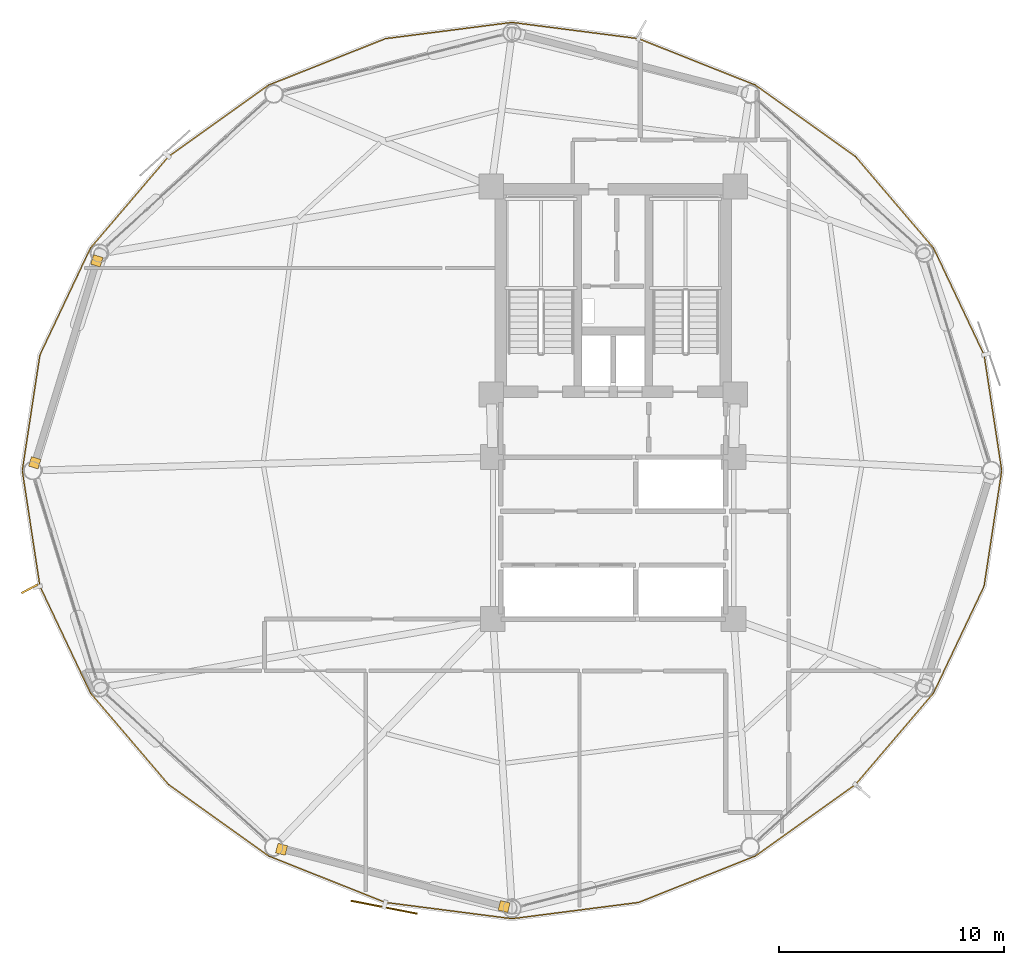
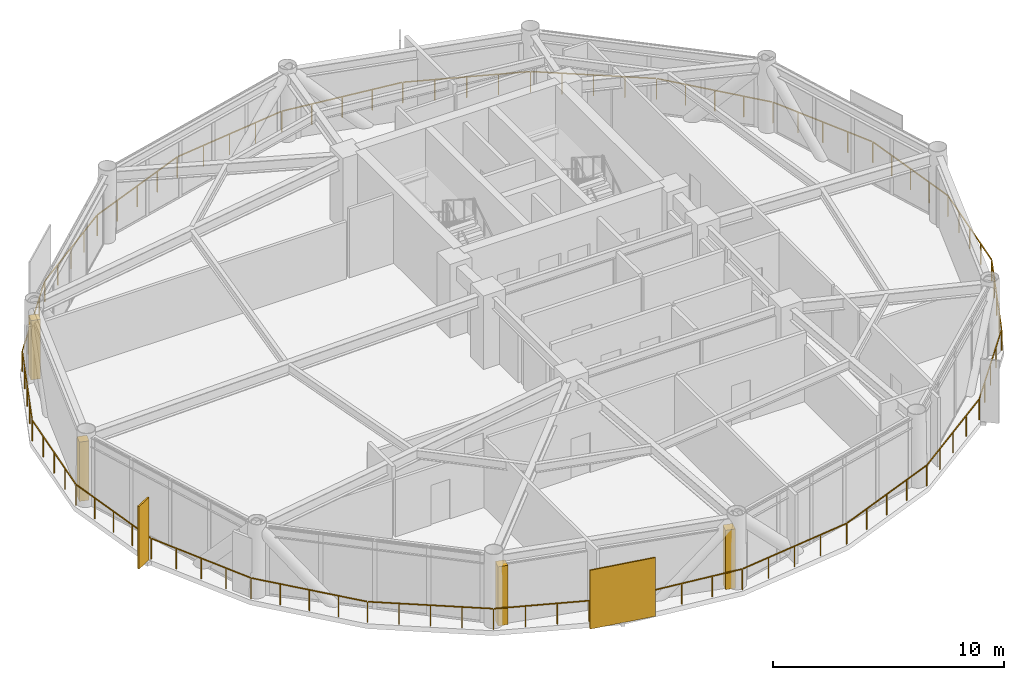
# One storey, part 22 of 24: 4 coverings, 2 shading devices, 1 railing.
"""IFC4 building model written with IfcOpenShell, lengths in metres."""

from ifc_helpers import new_model, si_unit, direction, frame, origin, origin_2d, place, context, subcontext, project, spatial, rectangle, extrude, source, transform, mapped, material, layer, layer_set, type_object, type_shapes, element, save


model = new_model("IFC4")

# Units and contexts
model_context = context("Model", 3, precision=1e-05, world=origin(), true_north=direction((0.0, 1.0)))
body_context = subcontext(model_context, "Body", "Model", "MODEL_VIEW")
ifc_project = project(units=[si_unit("LENGTHUNIT", "METRE"), si_unit("AREAUNIT", "SQUARE_METRE"), si_unit("VOLUMEUNIT", "CUBIC_METRE"), si_unit("PLANEANGLEUNIT", "RADIAN"), si_unit("MASSUNIT", "GRAM", prefix="KILO")], contexts=[model_context])

# Site, building, storey
site_placement = place(None, origin())
site = spatial("IfcSite", under=ifc_project, at=site_placement, CompositionType="ELEMENT")
building_placement = place(site_placement, origin())
building = spatial("IfcBuilding", under=site, at=building_placement, Name="Varnakorn Sky Granary", CompositionType="ELEMENT")
storey_placement = place(building_placement, frame((0.0, 0.0, 118.800048828125)))
storey = spatial("IfcBuildingStorey", under=building, at=storey_placement, Name="L29", CompositionType="ELEMENT", Elevation=118.800048828125)

# Railing
ifc_material = material(Name="Anodised Bronze Aluminium Alloy 6063-T6", Category="aluminium")
railing_type = type_object("IfcRailingType", Name="RL-BAL-1120", PredefinedType="BALUSTRADE", material=ifc_material)
railing_placement = place(storey_placement, frame((20.265869140625, 0.0, 0.0)))
element("IfcRailing", 1, at=railing_placement, inside=storey, type_object=railing_type, Name="Perimeter Slab-Edge Safety Guard L29", PredefinedType="BALUSTRADE", context=body_context, shape_type="SweptSolid", body=[
    extrude(rectangle(XDim=0.048095703125, YDim=0.048095703125, at=origin_2d()), frame((-0.004150390625, -0.027587890625, 1.09619140625), z_axis=(-0.150815099651, -0.988561988809, 0.0), x_axis=(0.988561988809, -0.150815099651, 0.0)), (0.0, 0.0, 1.0), 5.1435546875),
    extrude(rectangle(XDim=0.048095703125, YDim=0.048095703125, at=origin_2d()), frame((-0.796142578125, -5.16552734375, 1.09619140625), z_axis=(-0.427656636889, -0.903941259665, 0.0), x_axis=(0.903941259665, -0.427656636889, 0.0)), (0.0, 0.0, 1.0), 5.195556640625),
    extrude(rectangle(XDim=0.048095703125, YDim=0.048095703125, at=origin_2d()), frame((-3.048095703125, -9.908447265625, 1.09619140625), z_axis=(-0.648965268397, -0.760818033708, 0.0), x_axis=(0.760818033708, -0.648965268397, 0.0)), (0.0, 0.0, 1.0), 5.289306640625),
    extrude(rectangle(XDim=0.048095703125, YDim=0.048095703125, at=origin_2d()), frame((-6.521728515625, -13.970458984375, 1.09619140625), z_axis=(-0.813763642985, -0.581195950911, 0.0), x_axis=(0.581195950911, -0.813763642985, 0.0)), (0.0, 0.0, 1.0), 5.4111328125),
    extrude(rectangle(XDim=0.048095703125, YDim=0.048095703125, at=origin_2d()), frame((-10.97412109375, -17.141845703125, 1.09619140625), z_axis=(-0.929326630092, -0.369258736662, 0.0), x_axis=(0.369258736662, -0.929326630092, 0.0)), (0.0, 0.0, 1.0), 5.5341796875),
    extrude(rectangle(XDim=0.048095703125, YDim=0.048095703125, at=origin_2d()), frame((-16.1708984375, -19.199462890625, 1.09619140625), z_axis=(-0.991847365501, -0.127431564175, 0.0), x_axis=(0.127431564175, -0.991847365501, 0.0)), (0.0, 0.0, 1.0), 5.613037109375),
    extrude(rectangle(XDim=0.048095703125, YDim=0.048095703125, at=origin_2d()), frame((-21.793701171875, -19.91455078125, 1.09619140625), z_axis=(-0.991847365501, 0.127431564175, 0.0), x_axis=(-0.127431564175, -0.991847365501, 0.0)), (0.0, 0.0, 1.0), 5.613037109375),
    extrude(rectangle(XDim=0.048095703125, YDim=0.048095703125, at=origin_2d()), frame((-27.414794921875, -19.185546875, 1.09619140625), z_axis=(-0.929326630092, 0.369258736662, 0.0), x_axis=(-0.369258736662, -0.929326630092, 0.0)), (0.0, 0.0, 1.0), 5.5341796875),
    extrude(rectangle(XDim=0.048095703125, YDim=0.048095703125, at=origin_2d()), frame((-32.6064453125, -17.115234375, 1.09619140625), z_axis=(-0.813763642985, 0.581195950911, 0.0), x_axis=(-0.581195950911, -0.813763642985, 0.0)), (0.0, 0.0, 1.0), 5.4111328125),
    extrude(rectangle(XDim=0.048095703125, YDim=0.048095703125, at=origin_2d()), frame((-37.05078125, -13.932861328125, 1.09619140625), z_axis=(-0.648965268397, 0.760818033708, 0.0), x_axis=(-0.760818033708, -0.648965268397, 0.0)), (0.0, 0.0, 1.0), 5.289306640625),
    extrude(rectangle(XDim=0.048095703125, YDim=0.048095703125, at=origin_2d()), frame((-40.513671875, -9.86181640625, 1.09619140625), z_axis=(-0.427656636889, 0.903941259665, 0.0), x_axis=(-0.903941259665, -0.427656636889, 0.0)), (0.0, 0.0, 1.0), 5.195556640625),
    extrude(rectangle(XDim=0.048095703125, YDim=0.048095703125, at=origin_2d()), frame((-42.751708984375, -5.112548828125, 1.09619140625), z_axis=(-0.150815099651, 0.988561988809, 0.0), x_axis=(-0.988561988809, -0.150815099651, 0.0)), (0.0, 0.0, 1.0), 5.1435546875),
    extrude(rectangle(XDim=0.048095703125, YDim=0.048095703125, at=origin_2d()), frame((-43.527587890625, 0.027587890625, 1.09619140625), z_axis=(0.150815099651, 0.988561988809, 0.0), x_axis=(-0.988561988809, 0.150815099651, 0.0)), (0.0, 0.0, 1.0), 5.1435546875),
    extrude(rectangle(XDim=0.048095703125, YDim=0.048095703125, at=origin_2d()), frame((-42.735595703125, 5.16552734375, 1.09619140625), z_axis=(0.427656636889, 0.903941259665, 0.0), x_axis=(-0.903941259665, 0.427656636889, 0.0)), (0.0, 0.0, 1.0), 5.195556640625),
    extrude(rectangle(XDim=0.048095703125, YDim=0.048095703125, at=origin_2d()), frame((-40.483642578125, 9.908447265625, 1.09619140625), z_axis=(0.648965268397, 0.760818033708, 0.0), x_axis=(-0.760818033708, 0.648965268397, 0.0)), (0.0, 0.0, 1.0), 5.289306640625),
    extrude(rectangle(XDim=0.048095703125, YDim=0.048095703125, at=origin_2d()), frame((-37.010009765625, 13.970458984375, 1.09619140625), z_axis=(0.813763642985, 0.581195950911, 0.0), x_axis=(-0.581195950911, 0.813763642985, 0.0)), (0.0, 0.0, 1.0), 5.4111328125),
    extrude(rectangle(XDim=0.048095703125, YDim=0.048095703125, at=origin_2d()), frame((-32.5576171875, 17.141845703125, 1.09619140625), z_axis=(0.929326630092, 0.369258736662, 0.0), x_axis=(-0.369258736662, 0.929326630092, 0.0)), (0.0, 0.0, 1.0), 5.5341796875),
    extrude(rectangle(XDim=0.048095703125, YDim=0.048095703125, at=origin_2d()), frame((-27.36083984375, 19.199462890625, 1.09619140625), z_axis=(0.991847365501, 0.127431564175, 0.0), x_axis=(-0.127431564175, 0.991847365501, 0.0)), (0.0, 0.0, 1.0), 5.613037109375),
    extrude(rectangle(XDim=0.048095703125, YDim=0.048095703125, at=origin_2d()), frame((-21.738037109375, 19.91455078125, 1.09619140625), z_axis=(0.991847365501, -0.127431564175, 0.0), x_axis=(0.127431564175, 0.991847365501, 0.0)), (0.0, 0.0, 1.0), 5.613037109375),
    extrude(rectangle(XDim=0.048095703125, YDim=0.048095703125, at=origin_2d()), frame((-16.116943359375, 19.185546875, 1.09619140625), z_axis=(0.929326630092, -0.369258736662, 0.0), x_axis=(0.369258736662, 0.929326630092, 0.0)), (0.0, 0.0, 1.0), 5.5341796875),
    extrude(rectangle(XDim=0.048095703125, YDim=0.048095703125, at=origin_2d()), frame((-10.92529296875, 17.115234375, 1.09619140625), z_axis=(0.813763642985, -0.581195950911, 0.0), x_axis=(0.581195950911, 0.813763642985, 0.0)), (0.0, 0.0, 1.0), 5.4111328125),
    extrude(rectangle(XDim=0.048095703125, YDim=0.048095703125, at=origin_2d()), frame((-6.48095703125, 13.932861328125, 1.09619140625), z_axis=(0.648965268397, -0.760818033708, 0.0), x_axis=(0.760818033708, 0.648965268397, 0.0)), (0.0, 0.0, 1.0), 5.289306640625),
    extrude(rectangle(XDim=0.048095703125, YDim=0.048095703125, at=origin_2d()), frame((-3.01806640625, 9.86181640625, 1.09619140625), z_axis=(0.427656636889, -0.903941259665, 0.0), x_axis=(0.903941259665, 0.427656636889, 0.0)), (0.0, 0.0, 1.0), 5.195556640625),
    extrude(rectangle(XDim=0.048095703125, YDim=0.048095703125, at=origin_2d()), frame((-0.780029296875, 5.112548828125, 1.09619140625), z_axis=(0.150815099651, -0.988561988809, 0.0), x_axis=(0.988561988809, 0.150815099651, 0.0)), (0.0, 0.0, 1.0), 5.1435546875),
    extrude(rectangle(XDim=0.0419921875, YDim=0.0419921875, at=origin_2d()), origin(), (0.0, 0.0, 1.0), 1.068115234375),
    extrude(rectangle(XDim=0.0419921875, YDim=0.0419921875, at=origin_2d()), frame((-0.196044921875, -1.28515625, 0.0)), (0.0, 0.0, 1.0), 1.068115234375),
    extrude(rectangle(XDim=0.0419921875, YDim=0.0419921875, at=origin_2d()), frame((-0.39208984375, -2.570068359375, 0.0)), (0.0, 0.0, 1.0), 1.068115234375),
    extrude(rectangle(XDim=0.0419921875, YDim=0.0419921875, at=origin_2d()), frame((-0.588134765625, -3.85498046875, 0.0)), (0.0, 0.0, 1.0), 1.068115234375),
    extrude(rectangle(XDim=0.0419921875, YDim=0.0419921875, at=origin_2d()), frame((-0.7841796875, -5.14013671875, 0.0)), (0.0, 0.0, 1.0), 1.068115234375),
    extrude(rectangle(XDim=0.0419921875, YDim=0.0419921875, at=origin_2d()), frame((-1.345703125, -6.326904296875, 0.0)), (0.0, 0.0, 1.0), 1.068115234375),
    extrude(rectangle(XDim=0.0419921875, YDim=0.0419921875, at=origin_2d()), frame((-1.9072265625, -7.513671875, 0.0)), (0.0, 0.0, 1.0), 1.068115234375),
    extrude(rectangle(XDim=0.0419921875, YDim=0.0419921875, at=origin_2d()), frame((-2.468505859375, -8.700439453125, 0.0)), (0.0, 0.0, 1.0), 1.068115234375),
    extrude(rectangle(XDim=0.0419921875, YDim=0.0419921875, at=origin_2d()), frame((-3.030029296875, -9.88720703125, 0.0)), (0.0, 0.0, 1.0), 1.068115234375),
    extrude(rectangle(XDim=0.0419921875, YDim=0.0419921875, at=origin_2d()), frame((-3.897216796875, -10.90380859375, 0.0)), (0.0, 0.0, 1.0), 1.068115234375),
    extrude(rectangle(XDim=0.0419921875, YDim=0.0419921875, at=origin_2d()), frame((-4.7646484375, -11.920654296875, 0.0)), (0.0, 0.0, 1.0), 1.068115234375),
    extrude(rectangle(XDim=0.0419921875, YDim=0.0419921875, at=origin_2d()), frame((-5.6318359375, -12.9375, 0.0)), (0.0, 0.0, 1.0), 1.068115234375),
    extrude(rectangle(XDim=0.0419921875, YDim=0.0419921875, at=origin_2d()), frame((-6.4990234375, -13.9541015625, 0.0)), (0.0, 0.0, 1.0), 1.068115234375),
    extrude(rectangle(XDim=0.0419921875, YDim=0.0419921875, at=origin_2d()), frame((-7.611328125, -14.74853515625, 0.0)), (0.0, 0.0, 1.0), 1.068115234375),
    extrude(rectangle(XDim=0.0419921875, YDim=0.0419921875, at=origin_2d()), frame((-8.7236328125, -15.54296875, 0.0)), (0.0, 0.0, 1.0), 1.068115234375),
    extrude(rectangle(XDim=0.0419921875, YDim=0.0419921875, at=origin_2d()), frame((-9.835693359375, -16.337158203125, 0.0)), (0.0, 0.0, 1.0), 1.068115234375),
    extrude(rectangle(XDim=0.0419921875, YDim=0.0419921875, at=origin_2d()), frame((-10.947998046875, -17.131591796875, 0.0)), (0.0, 0.0, 1.0), 1.068115234375),
    extrude(rectangle(XDim=0.0419921875, YDim=0.0419921875, at=origin_2d()), frame((-12.246826171875, -17.647705078125, 0.0)), (0.0, 0.0, 1.0), 1.068115234375),
    extrude(rectangle(XDim=0.0419921875, YDim=0.0419921875, at=origin_2d()), frame((-13.54541015625, -18.16357421875, 0.0)), (0.0, 0.0, 1.0), 1.068115234375),
    extrude(rectangle(XDim=0.0419921875, YDim=0.0419921875, at=origin_2d()), frame((-14.84423828125, -18.6796875, 0.0)), (0.0, 0.0, 1.0), 1.068115234375),
    extrude(rectangle(XDim=0.0419921875, YDim=0.0419921875, at=origin_2d()), frame((-16.14306640625, -19.19580078125, 0.0)), (0.0, 0.0, 1.0), 1.068115234375),
    extrude(rectangle(XDim=0.0419921875, YDim=0.0419921875, at=origin_2d()), frame((-17.548828125, -19.37646484375, 0.0)), (0.0, 0.0, 1.0), 1.068115234375),
    extrude(rectangle(XDim=0.0419921875, YDim=0.0419921875, at=origin_2d()), frame((-18.95458984375, -19.55712890625, 0.0)), (0.0, 0.0, 1.0), 1.068115234375),
    extrude(rectangle(XDim=0.0419921875, YDim=0.0419921875, at=origin_2d()), frame((-20.360107421875, -19.737548828125, 0.0)), (0.0, 0.0, 1.0), 1.068115234375),
    extrude(rectangle(XDim=0.0419921875, YDim=0.0419921875, at=origin_2d()), frame((-21.765869140625, -19.918212890625, 0.0)), (0.0, 0.0, 1.0), 1.068115234375),
    extrude(rectangle(XDim=0.0419921875, YDim=0.0419921875, at=origin_2d()), frame((-23.171630859375, -19.737548828125, 0.0)), (0.0, 0.0, 1.0), 1.068115234375),
    extrude(rectangle(XDim=0.0419921875, YDim=0.0419921875, at=origin_2d()), frame((-24.5771484375, -19.55712890625, 0.0)), (0.0, 0.0, 1.0), 1.068115234375),
    extrude(rectangle(XDim=0.0419921875, YDim=0.0419921875, at=origin_2d()), frame((-25.98291015625, -19.37646484375, 0.0)), (0.0, 0.0, 1.0), 1.068115234375),
    extrude(rectangle(XDim=0.0419921875, YDim=0.0419921875, at=origin_2d()), frame((-27.388671875, -19.19580078125, 0.0)), (0.0, 0.0, 1.0), 1.068115234375),
    extrude(rectangle(XDim=0.0419921875, YDim=0.0419921875, at=origin_2d()), frame((-28.6875, -18.6796875, 0.0)), (0.0, 0.0, 1.0), 1.068115234375),
    extrude(rectangle(XDim=0.0419921875, YDim=0.0419921875, at=origin_2d()), frame((-29.986328125, -18.16357421875, 0.0)), (0.0, 0.0, 1.0), 1.068115234375),
    extrude(rectangle(XDim=0.0419921875, YDim=0.0419921875, at=origin_2d()), frame((-31.284912109375, -17.647705078125, 0.0)), (0.0, 0.0, 1.0), 1.068115234375),
    extrude(rectangle(XDim=0.0419921875, YDim=0.0419921875, at=origin_2d()), frame((-32.583740234375, -17.131591796875, 0.0)), (0.0, 0.0, 1.0), 1.068115234375),
    extrude(rectangle(XDim=0.0419921875, YDim=0.0419921875, at=origin_2d()), frame((-33.696044921875, -16.337158203125, 0.0)), (0.0, 0.0, 1.0), 1.068115234375),
    extrude(rectangle(XDim=0.0419921875, YDim=0.0419921875, at=origin_2d()), frame((-34.80810546875, -15.54296875, 0.0)), (0.0, 0.0, 1.0), 1.068115234375),
    extrude(rectangle(XDim=0.0419921875, YDim=0.0419921875, at=origin_2d()), frame((-35.92041015625, -14.74853515625, 0.0)), (0.0, 0.0, 1.0), 1.068115234375),
    extrude(rectangle(XDim=0.0419921875, YDim=0.0419921875, at=origin_2d()), frame((-37.03271484375, -13.9541015625, 0.0)), (0.0, 0.0, 1.0), 1.068115234375),
    extrude(rectangle(XDim=0.0419921875, YDim=0.0419921875, at=origin_2d()), frame((-37.89990234375, -12.9375, 0.0)), (0.0, 0.0, 1.0), 1.068115234375),
    extrude(rectangle(XDim=0.0419921875, YDim=0.0419921875, at=origin_2d()), frame((-38.76708984375, -11.920654296875, 0.0)), (0.0, 0.0, 1.0), 1.068115234375),
    extrude(rectangle(XDim=0.0419921875, YDim=0.0419921875, at=origin_2d()), frame((-39.634521484375, -10.90380859375, 0.0)), (0.0, 0.0, 1.0), 1.068115234375),
    extrude(rectangle(XDim=0.0419921875, YDim=0.0419921875, at=origin_2d()), frame((-40.501708984375, -9.88720703125, 0.0)), (0.0, 0.0, 1.0), 1.068115234375),
    extrude(rectangle(XDim=0.0419921875, YDim=0.0419921875, at=origin_2d()), frame((-41.063232421875, -8.700439453125, 0.0)), (0.0, 0.0, 1.0), 1.068115234375),
    extrude(rectangle(XDim=0.0419921875, YDim=0.0419921875, at=origin_2d()), frame((-41.62451171875, -7.513671875, 0.0)), (0.0, 0.0, 1.0), 1.068115234375),
    extrude(rectangle(XDim=0.0419921875, YDim=0.0419921875, at=origin_2d()), frame((-42.18603515625, -6.326904296875, 0.0)), (0.0, 0.0, 1.0), 1.068115234375),
    extrude(rectangle(XDim=0.0419921875, YDim=0.0419921875, at=origin_2d()), frame((-42.74755859375, -5.14013671875, 0.0)), (0.0, 0.0, 1.0), 1.068115234375),
    extrude(rectangle(XDim=0.0419921875, YDim=0.0419921875, at=origin_2d()), frame((-42.943603515625, -3.85498046875, 0.0)), (0.0, 0.0, 1.0), 1.068115234375),
    extrude(rectangle(XDim=0.0419921875, YDim=0.0419921875, at=origin_2d()), frame((-43.1396484375, -2.570068359375, 0.0)), (0.0, 0.0, 1.0), 1.068115234375),
    extrude(rectangle(XDim=0.0419921875, YDim=0.0419921875, at=origin_2d()), frame((-43.335693359375, -1.28515625, 0.0)), (0.0, 0.0, 1.0), 1.068115234375),
    extrude(rectangle(XDim=0.0419921875, YDim=0.0419921875, at=origin_2d()), frame((-43.53173828125, 0.0, 0.0)), (0.0, 0.0, 1.0), 1.068115234375),
    extrude(rectangle(XDim=0.0419921875, YDim=0.0419921875, at=origin_2d()), frame((-43.335693359375, 1.28515625, 0.0)), (0.0, 0.0, 1.0), 1.068115234375),
    extrude(rectangle(XDim=0.0419921875, YDim=0.0419921875, at=origin_2d()), frame((-43.1396484375, 2.570068359375, 0.0)), (0.0, 0.0, 1.0), 1.068115234375),
    extrude(rectangle(XDim=0.0419921875, YDim=0.0419921875, at=origin_2d()), frame((-42.943603515625, 3.85498046875, 0.0)), (0.0, 0.0, 1.0), 1.068115234375),
    extrude(rectangle(XDim=0.0419921875, YDim=0.0419921875, at=origin_2d()), frame((-42.74755859375, 5.14013671875, 0.0)), (0.0, 0.0, 1.0), 1.068115234375),
    extrude(rectangle(XDim=0.0419921875, YDim=0.0419921875, at=origin_2d()), frame((-42.18603515625, 6.326904296875, 0.0)), (0.0, 0.0, 1.0), 1.068115234375),
    extrude(rectangle(XDim=0.0419921875, YDim=0.0419921875, at=origin_2d()), frame((-41.62451171875, 7.513671875, 0.0)), (0.0, 0.0, 1.0), 1.068115234375),
    extrude(rectangle(XDim=0.0419921875, YDim=0.0419921875, at=origin_2d()), frame((-41.063232421875, 8.700439453125, 0.0)), (0.0, 0.0, 1.0), 1.068115234375),
    extrude(rectangle(XDim=0.0419921875, YDim=0.0419921875, at=origin_2d()), frame((-40.501708984375, 9.88720703125, 0.0)), (0.0, 0.0, 1.0), 1.068115234375),
    extrude(rectangle(XDim=0.0419921875, YDim=0.0419921875, at=origin_2d()), frame((-39.634521484375, 10.90380859375, 0.0)), (0.0, 0.0, 1.0), 1.068115234375),
    extrude(rectangle(XDim=0.0419921875, YDim=0.0419921875, at=origin_2d()), frame((-38.76708984375, 11.920654296875, 0.0)), (0.0, 0.0, 1.0), 1.068115234375),
    extrude(rectangle(XDim=0.0419921875, YDim=0.0419921875, at=origin_2d()), frame((-37.89990234375, 12.9375, 0.0)), (0.0, 0.0, 1.0), 1.068115234375),
    extrude(rectangle(XDim=0.0419921875, YDim=0.0419921875, at=origin_2d()), frame((-37.03271484375, 13.9541015625, 0.0)), (0.0, 0.0, 1.0), 1.068115234375),
    extrude(rectangle(XDim=0.0419921875, YDim=0.0419921875, at=origin_2d()), frame((-35.92041015625, 14.74853515625, 0.0)), (0.0, 0.0, 1.0), 1.068115234375),
    extrude(rectangle(XDim=0.0419921875, YDim=0.0419921875, at=origin_2d()), frame((-34.80810546875, 15.54296875, 0.0)), (0.0, 0.0, 1.0), 1.068115234375),
    extrude(rectangle(XDim=0.0419921875, YDim=0.0419921875, at=origin_2d()), frame((-33.696044921875, 16.337158203125, 0.0)), (0.0, 0.0, 1.0), 1.068115234375),
    extrude(rectangle(XDim=0.0419921875, YDim=0.0419921875, at=origin_2d()), frame((-32.583740234375, 17.131591796875, 0.0)), (0.0, 0.0, 1.0), 1.068115234375),
    extrude(rectangle(XDim=0.0419921875, YDim=0.0419921875, at=origin_2d()), frame((-31.284912109375, 17.647705078125, 0.0)), (0.0, 0.0, 1.0), 1.068115234375),
    extrude(rectangle(XDim=0.0419921875, YDim=0.0419921875, at=origin_2d()), frame((-29.986328125, 18.16357421875, 0.0)), (0.0, 0.0, 1.0), 1.068115234375),
    extrude(rectangle(XDim=0.0419921875, YDim=0.0419921875, at=origin_2d()), frame((-28.6875, 18.6796875, 0.0)), (0.0, 0.0, 1.0), 1.068115234375),
    extrude(rectangle(XDim=0.0419921875, YDim=0.0419921875, at=origin_2d()), frame((-27.388671875, 19.19580078125, 0.0)), (0.0, 0.0, 1.0), 1.068115234375),
    extrude(rectangle(XDim=0.0419921875, YDim=0.0419921875, at=origin_2d()), frame((-25.98291015625, 19.37646484375, 0.0)), (0.0, 0.0, 1.0), 1.068115234375),
    extrude(rectangle(XDim=0.0419921875, YDim=0.0419921875, at=origin_2d()), frame((-24.5771484375, 19.55712890625, 0.0)), (0.0, 0.0, 1.0), 1.068115234375),
    extrude(rectangle(XDim=0.0419921875, YDim=0.0419921875, at=origin_2d()), frame((-23.171630859375, 19.737548828125, 0.0)), (0.0, 0.0, 1.0), 1.068115234375),
    extrude(rectangle(XDim=0.0419921875, YDim=0.0419921875, at=origin_2d()), frame((-21.765869140625, 19.918212890625, 0.0)), (0.0, 0.0, 1.0), 1.068115234375),
    extrude(rectangle(XDim=0.0419921875, YDim=0.0419921875, at=origin_2d()), frame((-20.360107421875, 19.737548828125, 0.0)), (0.0, 0.0, 1.0), 1.068115234375),
    extrude(rectangle(XDim=0.0419921875, YDim=0.0419921875, at=origin_2d()), frame((-18.95458984375, 19.55712890625, 0.0)), (0.0, 0.0, 1.0), 1.068115234375),
    extrude(rectangle(XDim=0.0419921875, YDim=0.0419921875, at=origin_2d()), frame((-17.548828125, 19.37646484375, 0.0)), (0.0, 0.0, 1.0), 1.068115234375),
    extrude(rectangle(XDim=0.0419921875, YDim=0.0419921875, at=origin_2d()), frame((-16.14306640625, 19.19580078125, 0.0)), (0.0, 0.0, 1.0), 1.068115234375),
    extrude(rectangle(XDim=0.0419921875, YDim=0.0419921875, at=origin_2d()), frame((-14.84423828125, 18.6796875, 0.0)), (0.0, 0.0, 1.0), 1.068115234375),
    extrude(rectangle(XDim=0.0419921875, YDim=0.0419921875, at=origin_2d()), frame((-13.54541015625, 18.16357421875, 0.0)), (0.0, 0.0, 1.0), 1.068115234375),
    extrude(rectangle(XDim=0.0419921875, YDim=0.0419921875, at=origin_2d()), frame((-12.246826171875, 17.647705078125, 0.0)), (0.0, 0.0, 1.0), 1.068115234375),
    extrude(rectangle(XDim=0.0419921875, YDim=0.0419921875, at=origin_2d()), frame((-10.947998046875, 17.131591796875, 0.0)), (0.0, 0.0, 1.0), 1.068115234375),
    extrude(rectangle(XDim=0.0419921875, YDim=0.0419921875, at=origin_2d()), frame((-9.835693359375, 16.337158203125, 0.0)), (0.0, 0.0, 1.0), 1.068115234375),
    extrude(rectangle(XDim=0.0419921875, YDim=0.0419921875, at=origin_2d()), frame((-8.7236328125, 15.54296875, 0.0)), (0.0, 0.0, 1.0), 1.068115234375),
    extrude(rectangle(XDim=0.0419921875, YDim=0.0419921875, at=origin_2d()), frame((-7.611328125, 14.74853515625, 0.0)), (0.0, 0.0, 1.0), 1.068115234375),
    extrude(rectangle(XDim=0.0419921875, YDim=0.0419921875, at=origin_2d()), frame((-6.4990234375, 13.9541015625, 0.0)), (0.0, 0.0, 1.0), 1.068115234375),
    extrude(rectangle(XDim=0.0419921875, YDim=0.0419921875, at=origin_2d()), frame((-5.6318359375, 12.9375, 0.0)), (0.0, 0.0, 1.0), 1.068115234375),
    extrude(rectangle(XDim=0.0419921875, YDim=0.0419921875, at=origin_2d()), frame((-4.7646484375, 11.920654296875, 0.0)), (0.0, 0.0, 1.0), 1.068115234375),
    extrude(rectangle(XDim=0.0419921875, YDim=0.0419921875, at=origin_2d()), frame((-3.897216796875, 10.90380859375, 0.0)), (0.0, 0.0, 1.0), 1.068115234375),
    extrude(rectangle(XDim=0.0419921875, YDim=0.0419921875, at=origin_2d()), frame((-3.030029296875, 9.88720703125, 0.0)), (0.0, 0.0, 1.0), 1.068115234375),
    extrude(rectangle(XDim=0.0419921875, YDim=0.0419921875, at=origin_2d()), frame((-2.468505859375, 8.700439453125, 0.0)), (0.0, 0.0, 1.0), 1.068115234375),
    extrude(rectangle(XDim=0.0419921875, YDim=0.0419921875, at=origin_2d()), frame((-1.9072265625, 7.513671875, 0.0)), (0.0, 0.0, 1.0), 1.068115234375),
    extrude(rectangle(XDim=0.0419921875, YDim=0.0419921875, at=origin_2d()), frame((-1.345703125, 6.326904296875, 0.0)), (0.0, 0.0, 1.0), 1.068115234375),
    extrude(rectangle(XDim=0.0419921875, YDim=0.0419921875, at=origin_2d()), frame((-0.7841796875, 5.14013671875, 0.0)), (0.0, 0.0, 1.0), 1.068115234375),
    extrude(rectangle(XDim=0.0419921875, YDim=0.0419921875, at=origin_2d()), frame((-0.588134765625, 3.85498046875, 0.0)), (0.0, 0.0, 1.0), 1.068115234375),
    extrude(rectangle(XDim=0.0419921875, YDim=0.0419921875, at=origin_2d()), frame((-0.39208984375, 2.570068359375, 0.0)), (0.0, 0.0, 1.0), 1.068115234375),
    extrude(rectangle(XDim=0.0419921875, YDim=0.0419921875, at=origin_2d()), frame((-0.196044921875, 1.28515625, 0.0)), (0.0, 0.0, 1.0), 1.068115234375),
])

# Coverings
ifc_layer = layer(ifc_material, 0.050048828125, Name="Anodised Bronze Aluminium Alloy 6063-T6")
ifc_layer_set = layer_set([ifc_layer], Name="Anodised Bronze Aluminium Alloy 6063-T6")
covering_type = type_object("IfcCoveringType", Name="CV-CLAD-50", PredefinedType="CLADDING", material=ifc_layer_set)
shared_shape_1 = source(origin(), body_context, "Body", "SweptSolid", [
    extrude(rectangle(XDim=0.43994140625, YDim=0.43994140625, at=origin_2d()), origin(), (0.0, 0.0, 1.0), 3.1298828125),
])
type_shapes(covering_type, [shared_shape_1])
for number, where, z_axis, x_axis, name in (
    (2, (-22.710693359375, 0.345458984375, -0.02001953125), (0.0, 0.0, 1.0), (0.293873503404, 0.955844319959, 0.0), "Bronze Corner Pilaster Closure L29-P06-A"),
    (3, (-19.950439453125, 9.321533203125, -0.02001953125), (0.0, 0.0, 1.0), (0.293873503404, 0.955844319959, 0.0), "Bronze Corner Pilaster Closure L29-P06-B"),
    (4, (-1.85009765625, -19.37890625, -0.02001953125), (0.0, 0.0, 1.0), (-0.968452814643, 0.249197002009, 0.0), "Bronze Corner Pilaster Closure L29-P09-A"),
    (5, (-11.740966796875, -16.833740234375, -0.02001953125), (0.0, 0.0, 1.0), (-0.968452814643, 0.249197002009, 0.0), "Bronze Corner Pilaster Closure L29-P09-B"),
):
    element("IfcCovering", number, at=place(storey_placement, frame(where, z_axis=z_axis, x_axis=x_axis)), inside=storey, type_object=covering_type, Name=name, PredefinedType="CLADDING", context=body_context, shape_type="MappedRepresentation", body=[
        mapped(shared_shape_1, transform((0.0, 0.0, 0.0), x_axis=(1.0, 0.0, 0.0), y_axis=(0.0, 1.0, 0.0), z_axis=(0.0, 0.0, 1.0), scale=1.0)),
    ])

# Shading devices
shading_device_type_1 = type_object("IfcShadingDeviceType", Name="SH-SCR-02", PredefinedType="USERDEFINED", material=ifc_material)
shared_shape_2 = source(origin(), body_context, "Body", "SweptSolid", [
    extrude(rectangle(XDim=3.0, YDim=0.06494140625, at=origin_2d()), origin(), (0.0, 0.0, 1.0), 3.10009765625),
])
type_shapes(shading_device_type_1, [shared_shape_2])
shading_device_1_placement = place(storey_placement, frame((-7.184326171875, -19.40771484375, -0.0400390625), z_axis=(0.0, 0.0, 1.0), x_axis=(0.981377292753, -0.192090107158, 0.0)))
element("IfcShadingDevice", 6, at=shading_device_1_placement, inside=storey, type_object=shading_device_type_1, Name="Perforated Bronze Solar Screen Panel SCREEN L29-09", ObjectType="SCREEN", PredefinedType="USERDEFINED", context=body_context, shape_type="MappedRepresentation", body=[
    mapped(shared_shape_2, transform((0.0, 0.0, 0.0), x_axis=(1.0, 0.0, 0.0), y_axis=(0.0, 1.0, 0.0), z_axis=(0.0, 0.0, 1.0), scale=1.0)),
])
shading_device_type_2 = type_object("IfcShadingDeviceType", Name="SH-FIN-02", PredefinedType="USERDEFINED", material=ifc_material)
shared_shape_3 = source(origin(), body_context, "Body", "SweptSolid", [
    extrude(rectangle(XDim=0.0849609375, YDim=0.820068359375, at=origin_2d()), origin(), (0.0, 0.0, 1.0), 3.300048828125),
])
type_shapes(shading_device_type_2, [shared_shape_3])
shading_device_2_placement = place(storey_placement, frame((-22.9384765625, -5.25537109375, -0.0400390625), z_axis=(0.0, 0.0, 1.0), x_axis=(0.468848856603, -0.883278410051, 0.0)))
element("IfcShadingDevice", 7, at=shading_device_2_placement, inside=storey, type_object=shading_device_type_2, Name="Bronze Solar-Tracking Vertical Blade FIN L29-07", ObjectType="FIN", PredefinedType="USERDEFINED", context=body_context, shape_type="MappedRepresentation", body=[
    mapped(shared_shape_3, transform((0.0, 0.0, 0.0), x_axis=(1.0, 0.0, 0.0), y_axis=(0.0, 1.0, 0.0), z_axis=(0.0, 0.0, 1.0), scale=1.0)),
])

save(model, "model.ifc")
